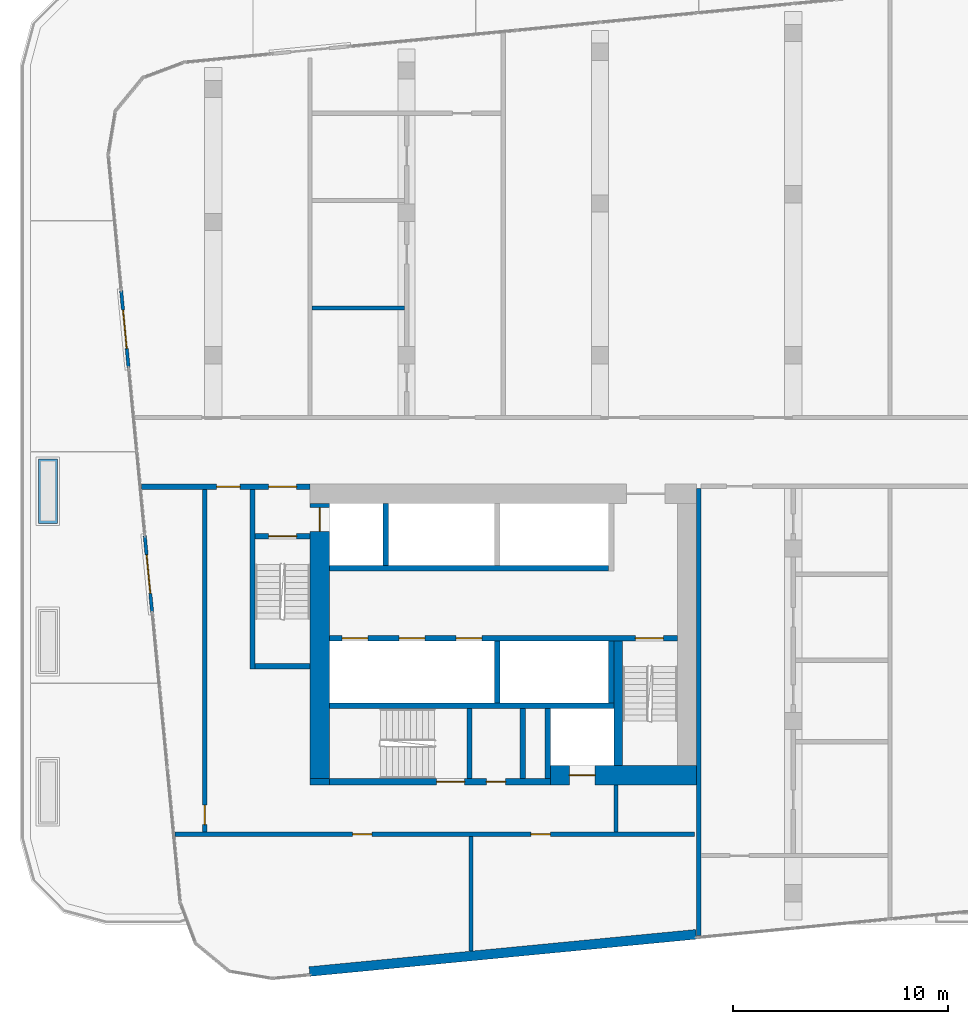
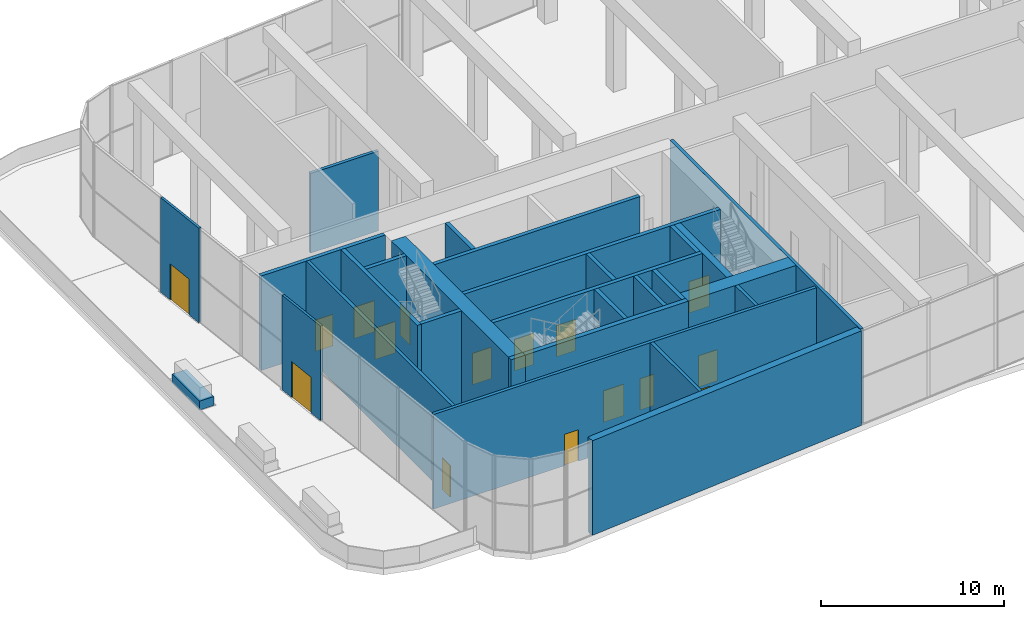
# One storey, part 12 of 25: 28 walls, 16 doors, 16 openings.
"""IFC4 building model written with IfcOpenShell, lengths in metres."""

from ifc_helpers import new_model, si_unit, direction, frame, frame_2d, origin, place, context, subcontext, project, spatial, rectangle, extrude, material, layer, layer_set, type_object, element, fill, save


model = new_model("IFC4")

# Units and contexts
model_context = context("Model", 3, precision=1e-05, world=origin(), true_north=direction((0.0, 1.0)))
body_context = subcontext(model_context, "Body", "Model", "MODEL_VIEW")
ifc_project = project(units=[si_unit("LENGTHUNIT", "METRE"), si_unit("AREAUNIT", "SQUARE_METRE"), si_unit("VOLUMEUNIT", "CUBIC_METRE"), si_unit("PLANEANGLEUNIT", "RADIAN"), si_unit("MASSUNIT", "GRAM", prefix="KILO")], contexts=[model_context])

# Site, building, storey
site_placement = place(None, origin())
site = spatial("IfcSite", under=ifc_project, at=site_placement, CompositionType="ELEMENT")
building_placement = place(site_placement, origin())
building = spatial("IfcBuilding", under=site, at=building_placement, Name="Kajstack Hotel Tower", CompositionType="ELEMENT")
storey_placement = place(building_placement, frame((0.0, 0.0, 104.199951171875)))
storey = spatial("IfcBuildingStorey", under=building, at=storey_placement, Name="L22", CompositionType="ELEMENT", Elevation=104.199951171875)

# Wall, opening, door
ifc_material_1 = material(Name="Concrete C60/75", Category="concrete")
ifc_layer_1 = layer(ifc_material_1, 0.89990234375)
ifc_layer_set_1 = layer_set([ifc_layer_1], Name="Core wall 900")
wall_type_1 = type_object("IfcWallType", Name="Core wall 900", PredefinedType="SHEAR", material=ifc_layer_set_1)
wall_1_placement = place(storey_placement, frame((-20.300048828125, -15.050048828125, 0.0), z_axis=(0.0, 0.0, 1.0), x_axis=(1.0, 0.0, 0.0)))
wall_1 = element("IfcWall", 1, at=wall_1_placement, inside=storey, type_object=wall_type_1, Name="Core wall W RS", PredefinedType="SHEAR", context=body_context, shape_type="SweptSolid", body=[
    extrude(rectangle(XDim=6.800048828125, YDim=0.89990234375, at=frame_2d((3.39990234375, 0.0))), origin(), (0.0, 0.0, 1.0), 6.320068359375),
])
opening_1_placement = place(wall_1_placement, frame((0.875, 0.0, 0.0)))
opening_1 = element("IfcOpeningElement", 2, at=opening_1_placement, cuts=wall_1, Name="Opening LD-SV1", PredefinedType="OPENING", context=body_context, shape_type="SweptSolid", body=[
    extrude(rectangle(XDim=1.199951171875, YDim=2.10009765625, at=frame_2d((0.60009765625, 1.050048828125))), frame((0.0, 0.4599609375, 0.0), z_axis=(0.0, -1.0, 0.0), x_axis=(1.0, 0.0, 0.0)), (0.0, 0.0, 1.0), 0.919921875),
])
ifc_material_2 = material(Name="Stainless steel", Category="steel")
door_type_1 = type_object("IfcDoorType", Name="Lift landing door 1200", OperationType="SLIDING_TO_LEFT", PredefinedType="DOOR", material=ifc_material_2)
door_1_placement = place(opening_1_placement, origin())
door_1 = element("IfcDoor", 3, at=door_1_placement, inside=storey, type_object=door_type_1, Name="Landing door SV1", OperationType="SLIDING_TO_LEFT", OverallHeight=2.10009765625, OverallWidth=1.199951171875, PredefinedType="DOOR", context=body_context, shape_type="SweptSolid", body=[
    extrude(rectangle(XDim=1.199951171875, YDim=2.10009765625, at=frame_2d((0.60009765625, 1.050048828125))), frame((0.0, 0.02490234375, 0.0), z_axis=(0.0, -1.0, 0.0), x_axis=(1.0, 0.0, 0.0)), (0.0, 0.0, 1.0), 0.050048828125),
])
fill(opening_1, door_1)

# Wall
wall_2_placement = place(storey_placement, frame((-31.5, -15.35009765625, 0.0), z_axis=(0.0, 0.0, 1.0), x_axis=(1.0, 0.0, 0.0)))
element("IfcWall", 4, at=wall_2_placement, inside=storey, type_object=wall_type_1, Name="Core wall W RSW", PredefinedType="SHEAR", context=body_context, shape_type="SweptSolid", body=[
    extrude(rectangle(XDim=0.89990234375, YDim=0.300048828125, at=frame_2d((0.449951171875, 0.0))), origin(), (0.0, 0.0, 1.0), 6.320068359375),
])

# Wall, opening, door
wall_3_placement = place(storey_placement, frame((-31.050048828125, -15.199951171875, 0.0), z_axis=(0.0, 0.0, 1.0), x_axis=(0.0, 1.0, 0.0)))
wall_3 = element("IfcWall", 5, at=wall_3_placement, inside=storey, type_object=wall_type_1, Name="Core wall W RW", PredefinedType="SHEAR", context=body_context, shape_type="SweptSolid", body=[
    extrude(rectangle(XDim=12.800048828125, YDim=0.89990234375, at=frame_2d((6.39990234375, 0.0))), origin(), (0.0, 0.0, 1.0), 6.320068359375),
])
opening_2_placement = place(wall_3_placement, frame((11.5, 0.0, 0.0)))
opening_2 = element("IfcOpeningElement", 6, at=opening_2_placement, cuts=wall_3, Name="Opening LD-FF1", PredefinedType="OPENING", context=body_context, shape_type="SweptSolid", body=[
    extrude(rectangle(XDim=1.10009765625, YDim=2.10009765625, at=frame_2d((0.550048828125, 1.050048828125))), frame((0.0, 0.4599609375, 0.0), z_axis=(0.0, -1.0, 0.0), x_axis=(1.0, 0.0, 0.0)), (0.0, 0.0, 1.0), 0.919921875),
])
door_type_2 = type_object("IfcDoorType", Name="Fire-fighting lift landing door 1100", OperationType="SLIDING_TO_LEFT", PredefinedType="DOOR", material=ifc_material_2)
door_2_placement = place(opening_2_placement, origin())
door_2 = element("IfcDoor", 7, at=door_2_placement, inside=storey, type_object=door_type_2, Name="Landing door FF1", OperationType="SLIDING_TO_RIGHT", OverallHeight=2.10009765625, OverallWidth=1.10009765625, PredefinedType="DOOR", context=body_context, shape_type="SweptSolid", body=[
    extrude(rectangle(XDim=1.10009765625, YDim=2.10009765625, at=frame_2d((0.550048828125, 1.050048828125))), frame((0.0, 0.02490234375, 0.0), z_axis=(0.0, -1.0, 0.0), x_axis=(1.0, 0.0, 0.0)), (0.0, 0.0, 1.0), 0.050048828125),
])
fill(opening_2, door_2)

# Wall
ifc_material_3 = material(Name="Concrete C40/50", Category="concrete")
ifc_layer_2 = layer(ifc_material_3, 0.449951171875)
ifc_layer_set_2 = layer_set([ifc_layer_2], Name="EW-CORE")
wall_type_2 = type_object("IfcWallType", Name="EW-CORE", PredefinedType="SOLIDWALL", material=ifc_layer_set_2)
wall_4_placement = place(storey_placement, frame((-31.521484375, -24.193603515625, 0.0), z_axis=(0.0, 0.0, 1.0), x_axis=(0.995396454615, 0.095843091245, 0.0)))
element("IfcWall", 8, at=wall_4_placement, inside=storey, type_object=wall_type_2, Name="E-wall-L22-04-01", PredefinedType="SOLIDWALL", context=body_context, shape_type="SweptSolid", body=[
    extrude(rectangle(XDim=18.083251953125, YDim=0.449951171875, at=frame_2d((9.04150390625, 0.0))), origin(), (0.0, 0.0, 1.0), 6.320068359375),
])

# Wall, opening, door
ifc_material_4 = material(Name="Aluminium", Category="aluminium")
ifc_layer_3 = layer(ifc_material_4, 0.14990234375)
ifc_layer_set_3 = layer_set([ifc_layer_3], Name="EW-FRAME")
wall_type_3 = type_object("IfcWallType", Name="EW-FRAME", PredefinedType="SOLIDWALL", material=ifc_layer_set_3)
wall_5_placement = place(storey_placement, frame((-40.2900390625, 7.498779296875, 0.0), z_axis=(0.0, 0.0, 1.0), x_axis=(0.095830004141, -0.995397714638, 0.0)))
wall_5 = element("IfcWall", 9, at=wall_5_placement, inside=storey, type_object=wall_type_3, Name="E-wall-L22-00-01", PredefinedType="SOLIDWALL", context=body_context, shape_type="SweptSolid", body=[
    extrude(rectangle(XDim=3.599853515625, YDim=0.14990234375, at=frame_2d((1.7998046875, 0.0))), origin(), (0.0, 0.0, 1.0), 6.320068359375),
])
opening_3_placement = place(wall_5_placement, frame((0.89990234375, 0.0, 0.0)))
opening_3 = element("IfcOpeningElement", 10, at=opening_3_placement, cuts=wall_5, Name="Opening TD1", PredefinedType="OPENING", context=body_context, shape_type="SweptSolid", body=[
    extrude(rectangle(XDim=1.800048828125, YDim=2.39990234375, at=frame_2d((0.89990234375, 1.199951171875))), frame((0.0, 0.0849609375, 0.0), z_axis=(0.0, -1.0, 0.0), x_axis=(1.0, 0.0, 0.0)), (0.0, 0.0, 1.0), 0.169921875),
])
ifc_material_5 = material(Name="Timber-aluminium door", Category="wood")
door_type_3 = type_object("IfcDoorType", Name="DOOR-TERRACE", OperationType="DOUBLE_DOOR_SINGLE_SWING", PredefinedType="DOOR", material=ifc_material_5)
door_3_placement = place(opening_3_placement, origin())
door_3 = element("IfcDoor", 11, at=door_3_placement, inside=storey, type_object=door_type_3, Name="Terrace door L22-00", OperationType="SINGLE_SWING_LEFT", OverallHeight=2.39990234375, OverallWidth=1.800048828125, PredefinedType="DOOR", context=body_context, shape_type="SweptSolid", body=[
    extrude(rectangle(XDim=1.800048828125, YDim=2.39990234375, at=frame_2d((0.89990234375, 1.199951171875))), frame((0.0, 0.02490234375, 0.0), z_axis=(0.0, -1.0, 0.0), x_axis=(1.0, 0.0, 0.0)), (0.0, 0.0, 1.0), 0.050048828125),
])
fill(opening_3, door_3)

wall_6_placement = place(storey_placement, frame((-39.1923828125, -3.901123046875, 0.0), z_axis=(0.0, 0.0, 1.0), x_axis=(0.095823535273, -0.995398337395, 0.0)))
wall_6 = element("IfcWall", 12, at=wall_6_placement, inside=storey, type_object=wall_type_3, Name="E-wall-L22-00-03", PredefinedType="SOLIDWALL", context=body_context, shape_type="SweptSolid", body=[
    extrude(rectangle(XDim=3.60009765625, YDim=0.14990234375, at=frame_2d((1.800048828125, 0.0))), origin(), (0.0, 0.0, 1.0), 6.320068359375),
])
opening_4_placement = place(wall_6_placement, frame((0.89990234375, 0.0, 0.0)))
opening_4 = element("IfcOpeningElement", 13, at=opening_4_placement, cuts=wall_6, Name="Opening TD1", PredefinedType="OPENING", context=body_context, shape_type="SweptSolid", body=[
    extrude(rectangle(XDim=1.800048828125, YDim=2.39990234375, at=frame_2d((0.89990234375, 1.199951171875))), frame((0.0, 0.0849609375, 0.0), z_axis=(0.0, -1.0, 0.0), x_axis=(1.0, 0.0, 0.0)), (0.0, 0.0, 1.0), 0.169921875),
])
door_4_placement = place(opening_4_placement, origin())
door_4 = element("IfcDoor", 14, at=door_4_placement, inside=storey, type_object=door_type_3, Name="Terrace door L22-00", OperationType="SINGLE_SWING_LEFT", OverallHeight=2.39990234375, OverallWidth=1.800048828125, PredefinedType="DOOR", context=body_context, shape_type="SweptSolid", body=[
    extrude(rectangle(XDim=1.800048828125, YDim=2.39990234375, at=frame_2d((0.89990234375, 1.199951171875))), frame((0.0, 0.02490234375, 0.0), z_axis=(0.0, -1.0, 0.0), x_axis=(1.0, 0.0, 0.0)), (0.0, 0.0, 1.0), 0.050048828125),
])
fill(opening_4, door_4)

# Walls
ifc_material_6 = material(Name="Concrete C50/60", Category="concrete")
ifc_layer_4 = layer(ifc_material_6, 0.300048828125)
ifc_layer_set_4 = layer_set([ifc_layer_4], Name="Hoistway divider wall 300")
wall_type_4 = type_object("IfcWallType", Name="Hoistway divider wall 300", PredefinedType="SHEAR", material=ifc_layer_set_4)
wall_7_placement = place(storey_placement, frame((-22.77490234375, -11.699951171875, 0.0), z_axis=(0.0, 0.0, 1.0), x_axis=(0.0, 1.0, 0.0)))
element("IfcWall", 15, at=wall_7_placement, inside=storey, type_object=wall_type_4, Name="Core wall W BP2", PredefinedType="SHEAR", context=body_context, shape_type="SweptSolid", body=[
    extrude(rectangle(XDim=2.89990234375, YDim=0.25, at=frame_2d((1.449951171875, 0.0))), origin(), (0.0, 0.0, 1.0), 6.320068359375),
])
ifc_material_7 = material(Name="Concrete C30/37", Category="concrete")
ifc_layer_5 = layer(ifc_material_7, 0.89990234375)
ifc_layer_set_5 = layer_set([ifc_layer_5], Name="PLANTER-WALL")
wall_type_5 = type_object("IfcWallType", Name="PLANTER-WALL", PredefinedType="SOLIDWALL", material=ifc_layer_set_5)
wall_8_placement = place(storey_placement, frame((-43.699951171875, -3.328857421875, 0.0), z_axis=(0.0, 0.0, 1.0), x_axis=(0.0, 1.0, 0.0)))
element("IfcWall", 16, at=wall_8_placement, inside=storey, type_object=wall_type_5, Name="PLANTER L22-01-03", PredefinedType="SOLIDWALL", context=body_context, shape_type="SweptSolid", body=[
    extrude(rectangle(XDim=3.0, YDim=0.89990234375, at=frame_2d((1.5, 0.0))), origin(), (0.0, 0.0, 1.0), 0.60009765625),
])
ifc_material_8 = material(Name="Gypsum board on steel studs, mineral wool", Category="steel")
ifc_layer_6 = layer(ifc_material_8, 0.199951171875)
ifc_layer_set_6 = layer_set([ifc_layer_6], Name="Public partition 200")
wall_type_6 = type_object("IfcWallType", Name="Public partition 200", PredefinedType="PARTITIONING", material=ifc_layer_set_6)
wall_9_placement = place(storey_placement, frame((-31.39990234375, 6.699951171875, 0.0), z_axis=(0.0, 0.0, 1.0), x_axis=(1.0, 0.0, 0.0)))
element("IfcWall", 17, at=wall_9_placement, inside=storey, type_object=wall_type_6, Name="Partition C2wP0", PredefinedType="PARTITIONING", context=body_context, shape_type="SweptSolid", body=[
    extrude(rectangle(XDim=4.2998046875, YDim=0.199951171875, at=frame_2d((2.14990234375, 0.0))), origin(), (0.0, 0.0, 1.0), 5.320068359375),
])
wall_10_placement = place(storey_placement, frame((-13.39990234375, -22.524169921875, 0.0), z_axis=(0.0, 0.0, 1.0), x_axis=(0.0, 1.0, 0.0)))
element("IfcWall", 18, at=wall_10_placement, inside=storey, type_object=wall_type_6, Name="Partition SEW", PredefinedType="PARTITIONING", context=body_context, shape_type="SweptSolid", body=[
    extrude(rectangle(XDim=20.82421875, YDim=0.199951171875, at=frame_2d((10.412109375, 0.0))), origin(), (0.0, 0.0, 1.0), 6.320068359375),
])
ifc_material_9 = material(Name="Concrete block masonry", Category="masonry")
ifc_layer_7 = layer(ifc_material_9, 0.25)
ifc_layer_set_7 = layer_set([ifc_layer_7], Name="Riser partition 250")
wall_type_7 = type_object("IfcWallType", Name="Riser partition 250", PredefinedType="PARTITIONING", material=ifc_layer_set_7)
wall_11_placement = place(storey_placement, frame((-21.60009765625, -15.199951171875, 0.0), z_axis=(0.0, 0.0, 1.0), x_axis=(0.0, 1.0, 0.0)))
element("IfcWall", 19, at=wall_11_placement, inside=storey, type_object=wall_type_7, Name="Partition W SZ0", PredefinedType="PARTITIONING", context=body_context, shape_type="SweptSolid", body=[
    extrude(rectangle(XDim=3.25, YDim=0.25, at=frame_2d((1.625, 0.0))), origin(), (0.0, 0.0, 1.0), 6.320068359375),
])

# Wall, openings, doors
ifc_layer_8 = layer(ifc_material_8, 0.199951171875)
ifc_layer_set_8 = layer_set([ifc_layer_8], Name="Service partition 200")
wall_type_8 = type_object("IfcWallType", Name="Service partition 200", PredefinedType="PARTITIONING", material=ifc_layer_set_8)
wall_12_placement = place(storey_placement, frame((-39.336181640625, -1.625, 0.0), z_axis=(0.0, 0.0, 1.0), x_axis=(1.0, 0.0, 0.0)))
wall_12 = element("IfcWall", 20, at=wall_12_placement, inside=storey, type_object=wall_type_8, Name="Partition W SN", PredefinedType="PARTITIONING", context=body_context, shape_type="SweptSolid", body=[
    extrude(rectangle(XDim=7.836181640625, YDim=0.25, at=frame_2d((3.91796875, 0.0))), origin(), (0.0, 0.0, 1.0), 6.320068359375),
])
opening_5_placement = place(wall_12_placement, frame((5.9111328125, 0.0, 0.0)))
opening_5 = element("IfcOpeningElement", 21, at=opening_5_placement, cuts=wall_12, Name="Opening 22W07", PredefinedType="OPENING", context=body_context, shape_type="SweptSolid", body=[
    extrude(rectangle(XDim=1.300048828125, YDim=2.10009765625, at=frame_2d((0.64990234375, 1.050048828125))), frame((0.0, 0.135009765625, 0.0), z_axis=(0.0, -1.0, 0.0), x_axis=(1.0, 0.0, 0.0)), (0.0, 0.0, 1.0), 0.27001953125),
])
opening_6_placement = place(wall_12_placement, frame((3.486083984375, 0.0, 0.0)))
opening_6 = element("IfcOpeningElement", 22, at=opening_6_placement, cuts=wall_12, Name="Opening 22W09", PredefinedType="OPENING", context=body_context, shape_type="SweptSolid", body=[
    extrude(rectangle(XDim=1.10009765625, YDim=2.10009765625, at=frame_2d((0.550048828125, 1.050048828125))), frame((0.0, 0.135009765625, 0.0), z_axis=(0.0, -1.0, 0.0), x_axis=(1.0, 0.0, 0.0)), (0.0, 0.0, 1.0), 0.27001953125),
])
ifc_material_10 = material(Name="Steel leaf, fire-rated", Category="steel")
door_type_4 = type_object("IfcDoorType", Name="Fire lobby door 1300", OperationType="SINGLE_SWING_LEFT", PredefinedType="DOOR", material=ifc_material_10)
door_5_placement = place(opening_5_placement, origin())
door_5 = element("IfcDoor", 23, at=door_5_placement, inside=storey, type_object=door_type_4, Name="Door 22W07", OperationType="SINGLE_SWING_RIGHT", OverallHeight=2.10009765625, OverallWidth=1.300048828125, PredefinedType="DOOR", context=body_context, shape_type="SweptSolid", body=[
    extrude(rectangle(XDim=1.300048828125, YDim=2.10009765625, at=frame_2d((0.64990234375, 1.050048828125))), frame((0.0, 0.02490234375, 0.0), z_axis=(0.0, -1.0, 0.0), x_axis=(1.0, 0.0, 0.0)), (0.0, 0.0, 1.0), 0.050048828125),
])
fill(opening_5, door_5)
ifc_material_11 = material(Name="Timber leaf, fire-rated", Category="wood")
door_type_5 = type_object("IfcDoorType", Name="Service corridor door 1100", OperationType="SINGLE_SWING_LEFT", PredefinedType="DOOR", material=ifc_material_11)
door_6_placement = place(opening_6_placement, origin())
door_6 = element("IfcDoor", 24, at=door_6_placement, inside=storey, type_object=door_type_5, Name="Door 22W09", OperationType="SINGLE_SWING_RIGHT", OverallHeight=2.10009765625, OverallWidth=1.10009765625, PredefinedType="DOOR", context=body_context, shape_type="SweptSolid", body=[
    extrude(rectangle(XDim=1.10009765625, YDim=2.10009765625, at=frame_2d((0.550048828125, 1.050048828125))), frame((0.0, 0.02490234375, 0.0), z_axis=(0.0, -1.0, 0.0), x_axis=(1.0, 0.0, 0.0)), (0.0, 0.0, 1.0), 0.050048828125),
])
fill(opening_6, door_6)

# Wall
wall_13_placement = place(storey_placement, frame((-17.25, -17.699951171875, 0.0), z_axis=(0.0, 0.0, 1.0), x_axis=(0.0, 1.0, 0.0)))
element("IfcWall", 25, at=wall_13_placement, inside=storey, type_object=wall_type_8, Name="Partition W SCE", PredefinedType="PARTITIONING", context=body_context, shape_type="SweptSolid", body=[
    extrude(rectangle(XDim=2.199951171875, YDim=0.199951171875, at=frame_2d((1.10009765625, 0.0))), origin(), (0.0, 0.0, 1.0), 6.320068359375),
])

# Wall, opening, door
wall_14_placement = place(storey_placement, frame((-36.39990234375, -17.699951171875, 0.0), z_axis=(0.0, 0.0, 1.0), x_axis=(0.0, 1.0, 0.0)))
wall_14 = element("IfcWall", 26, at=wall_14_placement, inside=storey, type_object=wall_type_8, Name="Partition W WRE", PredefinedType="PARTITIONING", context=body_context, shape_type="SweptSolid", body=[
    extrude(rectangle(XDim=15.949951171875, YDim=0.199951171875, at=frame_2d((7.97509765625, 0.0))), origin(), (0.0, 0.0, 1.0), 6.320068359375),
])
opening_7_placement = place(wall_14_placement, frame((0.35009765625, 0.0, 0.0)))
opening_7 = element("IfcOpeningElement", 27, at=opening_7_placement, cuts=wall_14, Name="Opening 22W15", PredefinedType="OPENING", context=body_context, shape_type="SweptSolid", body=[
    extrude(rectangle(XDim=0.89990234375, YDim=2.10009765625, at=frame_2d((0.449951171875, 1.050048828125))), frame((0.0, 0.10986328125, 0.0), z_axis=(0.0, -1.0, 0.0), x_axis=(1.0, 0.0, 0.0)), (0.0, 0.0, 1.0), 0.219970703125),
])
door_type_6 = type_object("IfcDoorType", Name="Service door 900", OperationType="SINGLE_SWING_LEFT", PredefinedType="DOOR", material=ifc_material_11)
door_7_placement = place(opening_7_placement, origin())
door_7 = element("IfcDoor", 28, at=door_7_placement, inside=storey, type_object=door_type_6, Name="Door 22W15", OperationType="SINGLE_SWING_LEFT", OverallHeight=2.10009765625, OverallWidth=0.89990234375, PredefinedType="DOOR", context=body_context, shape_type="SweptSolid", body=[
    extrude(rectangle(XDim=0.89990234375, YDim=2.10009765625, at=frame_2d((0.449951171875, 1.050048828125))), frame((0.0, 0.02490234375, 0.0), z_axis=(0.0, -1.0, 0.0), x_axis=(1.0, 0.0, 0.0)), (0.0, 0.0, 1.0), 0.050048828125),
])
fill(opening_7, door_7)

# Wall, openings, doors
wall_15_placement = place(storey_placement, frame((-37.77880859375, -17.800048828125, 0.0), z_axis=(0.0, 0.0, 1.0), x_axis=(1.0, 0.0, 0.0)))
wall_15 = element("IfcWall", 29, at=wall_15_placement, inside=storey, type_object=wall_type_8, Name="Partition W SLN", PredefinedType="PARTITIONING", context=body_context, shape_type="SweptSolid", body=[
    extrude(rectangle(XDim=24.1787109375, YDim=0.199951171875, at=frame_2d((12.08935546875, 0.0))), origin(), (0.0, 0.0, 1.0), 6.320068359375),
])
opening_8_placement = place(wall_15_placement, frame((8.26611328125, 0.0, 0.0)))
opening_8 = element("IfcOpeningElement", 30, at=opening_8_placement, cuts=wall_15, Name="Opening 22W13", PredefinedType="OPENING", context=body_context, shape_type="SweptSolid", body=[
    extrude(rectangle(XDim=0.89990234375, YDim=2.10009765625, at=frame_2d((0.449951171875, 1.050048828125))), frame((0.0, 0.10986328125, 0.0), z_axis=(0.0, -1.0, 0.0), x_axis=(1.0, 0.0, 0.0)), (0.0, 0.0, 1.0), 0.219970703125),
])
opening_9_placement = place(wall_15_placement, frame((16.566162109375, 0.0, 0.0)))
opening_9 = element("IfcOpeningElement", 31, at=opening_9_placement, cuts=wall_15, Name="Opening 22W14", PredefinedType="OPENING", context=body_context, shape_type="SweptSolid", body=[
    extrude(rectangle(XDim=0.89990234375, YDim=2.10009765625, at=frame_2d((0.449951171875, 1.050048828125))), frame((0.0, 0.10986328125, 0.0), z_axis=(0.0, -1.0, 0.0), x_axis=(1.0, 0.0, 0.0)), (0.0, 0.0, 1.0), 0.219970703125),
])
door_8_placement = place(opening_8_placement, origin())
door_8 = element("IfcDoor", 32, at=door_8_placement, inside=storey, type_object=door_type_6, Name="Door 22W13", OperationType="SINGLE_SWING_RIGHT", OverallHeight=2.10009765625, OverallWidth=0.89990234375, PredefinedType="DOOR", context=body_context, shape_type="SweptSolid", body=[
    extrude(rectangle(XDim=0.89990234375, YDim=2.10009765625, at=frame_2d((0.449951171875, 1.050048828125))), frame((0.0, 0.02490234375, 0.0), z_axis=(0.0, -1.0, 0.0), x_axis=(1.0, 0.0, 0.0)), (0.0, 0.0, 1.0), 0.050048828125),
])
fill(opening_8, door_8)
door_9_placement = place(opening_9_placement, origin())
door_9 = element("IfcDoor", 33, at=door_9_placement, inside=storey, type_object=door_type_6, Name="Door 22W14", OperationType="SINGLE_SWING_RIGHT", OverallHeight=2.10009765625, OverallWidth=0.89990234375, PredefinedType="DOOR", context=body_context, shape_type="SweptSolid", body=[
    extrude(rectangle(XDim=0.89990234375, YDim=2.10009765625, at=frame_2d((0.449951171875, 1.050048828125))), frame((0.0, 0.02490234375, 0.0), z_axis=(0.0, -1.0, 0.0), x_axis=(1.0, 0.0, 0.0)), (0.0, 0.0, 1.0), 0.050048828125),
])
fill(opening_9, door_9)

# Wall
wall_16_placement = place(storey_placement, frame((-24.0, -23.244384765625, 0.0), z_axis=(0.0, 0.0, 1.0), x_axis=(0.0, 1.0, 0.0)))
element("IfcWall", 34, at=wall_16_placement, inside=storey, type_object=wall_type_8, Name="Partition W SLP0", PredefinedType="PARTITIONING", context=body_context, shape_type="SweptSolid", body=[
    extrude(rectangle(XDim=5.344482421875, YDim=0.199951171875, at=frame_2d((2.67236328125, 0.0))), origin(), (0.0, 0.0, 1.0), 6.320068359375),
])

# Wall, openings, doors
ifc_layer_9 = layer(ifc_material_6, 0.25)
ifc_layer_set_9 = layer_set([ifc_layer_9], Name="Shaft wall 250")
wall_type_9 = type_object("IfcWallType", Name="Shaft wall 250", PredefinedType="SHEAR", material=ifc_layer_set_9)
wall_17_placement = place(storey_placement, frame((-30.60009765625, -15.35009765625, 0.0), z_axis=(0.0, 0.0, 1.0), x_axis=(1.0, 0.0, 0.0)))
wall_17 = element("IfcWall", 35, at=wall_17_placement, inside=storey, type_object=wall_type_9, Name="Core wall W RSS", PredefinedType="SHEAR", context=body_context, shape_type="SweptSolid", body=[
    extrude(rectangle(XDim=10.300048828125, YDim=0.300048828125, at=frame_2d((5.14990234375, 0.0))), origin(), (0.0, 0.0, 1.0), 6.320068359375),
])
opening_10_placement = place(wall_17_placement, frame((5.0, 0.0, 0.0)))
opening_10 = element("IfcOpeningElement", 36, at=opening_10_placement, cuts=wall_17, Name="Opening 22W11", PredefinedType="OPENING", context=body_context, shape_type="SweptSolid", body=[
    extrude(rectangle(XDim=1.300048828125, YDim=2.10009765625, at=frame_2d((0.64990234375, 1.050048828125))), frame((0.0, 0.159912109375, 0.0), z_axis=(0.0, -1.0, 0.0), x_axis=(1.0, 0.0, 0.0)), (0.0, 0.0, 1.0), 0.320068359375),
])
opening_11_placement = place(wall_17_placement, frame((7.3125, 0.0, 0.0)))
opening_11 = element("IfcOpeningElement", 37, at=opening_11_placement, cuts=wall_17, Name="Opening 22W12", PredefinedType="OPENING", context=body_context, shape_type="SweptSolid", body=[
    extrude(rectangle(XDim=0.89990234375, YDim=2.10009765625, at=frame_2d((0.449951171875, 1.050048828125))), frame((0.0, 0.159912109375, 0.0), z_axis=(0.0, -1.0, 0.0), x_axis=(1.0, 0.0, 0.0)), (0.0, 0.0, 1.0), 0.320068359375),
])
door_10_placement = place(opening_11_placement, origin())
door_10 = element("IfcDoor", 38, at=door_10_placement, inside=storey, type_object=door_type_6, Name="Door 22W12", OperationType="SINGLE_SWING_LEFT", OverallHeight=2.10009765625, OverallWidth=0.89990234375, PredefinedType="DOOR", context=body_context, shape_type="SweptSolid", body=[
    extrude(rectangle(XDim=0.89990234375, YDim=2.10009765625, at=frame_2d((0.449951171875, 1.050048828125))), frame((0.0, 0.02490234375, 0.0), z_axis=(0.0, -1.0, 0.0), x_axis=(1.0, 0.0, 0.0)), (0.0, 0.0, 1.0), 0.050048828125),
])
fill(opening_11, door_10)
door_type_7 = type_object("IfcDoorType", Name="Stair door 1300", OperationType="SINGLE_SWING_LEFT", PredefinedType="DOOR", material=ifc_material_10)
door_11_placement = place(opening_10_placement, origin())
door_11 = element("IfcDoor", 39, at=door_11_placement, inside=storey, type_object=door_type_7, Name="Door 22W11", OperationType="SINGLE_SWING_RIGHT", OverallHeight=2.10009765625, OverallWidth=1.300048828125, PredefinedType="DOOR", context=body_context, shape_type="SweptSolid", body=[
    extrude(rectangle(XDim=1.300048828125, YDim=2.10009765625, at=frame_2d((0.64990234375, 1.050048828125))), frame((0.0, 0.02490234375, 0.0), z_axis=(0.0, -1.0, 0.0), x_axis=(1.0, 0.0, 0.0)), (0.0, 0.0, 1.0), 0.050048828125),
])
fill(opening_10, door_11)

# Walls
wall_18_placement = place(storey_placement, frame((-30.60009765625, -5.425048828125, 0.0), z_axis=(0.0, 0.0, 1.0), x_axis=(1.0, 0.0, 0.0)))
element("IfcWall", 40, at=wall_18_placement, inside=storey, type_object=wall_type_9, Name="Core wall W FA", PredefinedType="SHEAR", context=body_context, shape_type="SweptSolid", body=[
    extrude(rectangle(XDim=13.0, YDim=0.25, at=frame_2d((6.5, 0.0))), origin(), (0.0, 0.0, 1.0), 6.320068359375),
])
wall_19_placement = place(storey_placement, frame((-27.97509765625, -5.300048828125, 0.0), z_axis=(0.0, 0.0, 1.0), x_axis=(0.0, 1.0, 0.0)))
element("IfcWall", 41, at=wall_19_placement, inside=storey, type_object=wall_type_9, Name="Core wall W AP0", PredefinedType="SHEAR", context=body_context, shape_type="SweptSolid", body=[
    extrude(rectangle(XDim=2.900146484375, YDim=0.25, at=frame_2d((1.4501953125, 0.0))), origin(), (0.0, 0.0, 1.0), 6.320068359375),
])

# Wall, openings, doors
wall_20_placement = place(storey_placement, frame((-30.60009765625, -8.675048828125, 0.0), z_axis=(0.0, 0.0, 1.0), x_axis=(1.0, 0.0, 0.0)))
wall_20 = element("IfcWall", 42, at=wall_20_placement, inside=storey, type_object=wall_type_9, Name="Core wall W FB", PredefinedType="SHEAR", context=body_context, shape_type="SweptSolid", body=[
    extrude(rectangle(XDim=16.2001953125, YDim=0.25, at=frame_2d((8.10009765625, 0.0))), origin(), (0.0, 0.0, 1.0), 6.320068359375),
])
opening_12_placement = place(wall_20_placement, frame((0.60009765625, 0.0, 0.0)))
opening_12 = element("IfcOpeningElement", 43, at=opening_12_placement, cuts=wall_20, Name="Opening LD-LR1", PredefinedType="OPENING", context=body_context, shape_type="SweptSolid", body=[
    extrude(rectangle(XDim=1.199951171875, YDim=2.10009765625, at=frame_2d((0.60009765625, 1.050048828125))), frame((0.0, 0.135009765625, 0.0), z_axis=(0.0, -1.0, 0.0), x_axis=(1.0, 0.0, 0.0)), (0.0, 0.0, 1.0), 0.27001953125),
])
opening_13_placement = place(wall_20_placement, frame((3.25, 0.0, 0.0)))
opening_13 = element("IfcOpeningElement", 44, at=opening_13_placement, cuts=wall_20, Name="Opening LD-LR2", PredefinedType="OPENING", context=body_context, shape_type="SweptSolid", body=[
    extrude(rectangle(XDim=1.199951171875, YDim=2.10009765625, at=frame_2d((0.60009765625, 1.050048828125))), frame((0.0, 0.135009765625, 0.0), z_axis=(0.0, -1.0, 0.0), x_axis=(1.0, 0.0, 0.0)), (0.0, 0.0, 1.0), 0.27001953125),
])
opening_14_placement = place(wall_20_placement, frame((5.89990234375, 0.0, 0.0)))
opening_14 = element("IfcOpeningElement", 45, at=opening_14_placement, cuts=wall_20, Name="Opening LD-LR3", PredefinedType="OPENING", context=body_context, shape_type="SweptSolid", body=[
    extrude(rectangle(XDim=1.199951171875, YDim=2.10009765625, at=frame_2d((0.60009765625, 1.050048828125))), frame((0.0, 0.135009765625, 0.0), z_axis=(0.0, -1.0, 0.0), x_axis=(1.0, 0.0, 0.0)), (0.0, 0.0, 1.0), 0.27001953125),
])
opening_15_placement = place(wall_20_placement, frame((14.25, 0.0, 0.0)))
opening_15 = element("IfcOpeningElement", 46, at=opening_15_placement, cuts=wall_20, Name="Opening 22W10", PredefinedType="OPENING", context=body_context, shape_type="SweptSolid", body=[
    extrude(rectangle(XDim=1.300048828125, YDim=2.10009765625, at=frame_2d((0.64990234375, 1.050048828125))), frame((0.0, 0.135009765625, 0.0), z_axis=(0.0, -1.0, 0.0), x_axis=(1.0, 0.0, 0.0)), (0.0, 0.0, 1.0), 0.27001953125),
])
door_12_placement = place(opening_12_placement, origin())
door_12 = element("IfcDoor", 47, at=door_12_placement, inside=storey, type_object=door_type_1, Name="Landing door LR1", OperationType="SLIDING_TO_LEFT", OverallHeight=2.10009765625, OverallWidth=1.199951171875, PredefinedType="DOOR", context=body_context, shape_type="SweptSolid", body=[
    extrude(rectangle(XDim=1.199951171875, YDim=2.10009765625, at=frame_2d((0.60009765625, 1.050048828125))), frame((0.0, 0.02490234375, 0.0), z_axis=(0.0, -1.0, 0.0), x_axis=(1.0, 0.0, 0.0)), (0.0, 0.0, 1.0), 0.050048828125),
])
fill(opening_12, door_12)
door_13_placement = place(opening_13_placement, origin())
door_13 = element("IfcDoor", 48, at=door_13_placement, inside=storey, type_object=door_type_1, Name="Landing door LR2", OperationType="SLIDING_TO_RIGHT", OverallHeight=2.10009765625, OverallWidth=1.199951171875, PredefinedType="DOOR", context=body_context, shape_type="SweptSolid", body=[
    extrude(rectangle(XDim=1.199951171875, YDim=2.10009765625, at=frame_2d((0.60009765625, 1.050048828125))), frame((0.0, 0.02490234375, 0.0), z_axis=(0.0, -1.0, 0.0), x_axis=(1.0, 0.0, 0.0)), (0.0, 0.0, 1.0), 0.050048828125),
])
fill(opening_13, door_13)
door_14_placement = place(opening_14_placement, origin())
door_14 = element("IfcDoor", 49, at=door_14_placement, inside=storey, type_object=door_type_1, Name="Landing door LR3", OperationType="SLIDING_TO_RIGHT", OverallHeight=2.10009765625, OverallWidth=1.199951171875, PredefinedType="DOOR", context=body_context, shape_type="SweptSolid", body=[
    extrude(rectangle(XDim=1.199951171875, YDim=2.10009765625, at=frame_2d((0.60009765625, 1.050048828125))), frame((0.0, 0.02490234375, 0.0), z_axis=(0.0, -1.0, 0.0), x_axis=(1.0, 0.0, 0.0)), (0.0, 0.0, 1.0), 0.050048828125),
])
fill(opening_14, door_14)
door_15_placement = place(opening_15_placement, origin())
door_15 = element("IfcDoor", 50, at=door_15_placement, inside=storey, type_object=door_type_7, Name="Door 22W10", OperationType="SINGLE_SWING_RIGHT", OverallHeight=2.10009765625, OverallWidth=1.300048828125, PredefinedType="DOOR", context=body_context, shape_type="SweptSolid", body=[
    extrude(rectangle(XDim=1.300048828125, YDim=2.10009765625, at=frame_2d((0.64990234375, 1.050048828125))), frame((0.0, 0.02490234375, 0.0), z_axis=(0.0, -1.0, 0.0), x_axis=(1.0, 0.0, 0.0)), (0.0, 0.0, 1.0), 0.050048828125),
])
fill(opening_15, door_15)

# Walls
wall_21_placement = place(storey_placement, frame((-30.60009765625, -11.824951171875, 0.0), z_axis=(0.0, 0.0, 1.0), x_axis=(1.0, 0.0, 0.0)))
element("IfcWall", 51, at=wall_21_placement, inside=storey, type_object=wall_type_9, Name="Core wall W RB", PredefinedType="SHEAR", context=body_context, shape_type="SweptSolid", body=[
    extrude(rectangle(XDim=13.25, YDim=0.25, at=frame_2d((6.625, 0.0))), origin(), (0.0, 0.0, 1.0), 6.320068359375),
])
wall_22_placement = place(storey_placement, frame((-17.47509765625, -11.699951171875, 0.0), z_axis=(0.0, 0.0, 1.0), x_axis=(0.0, 1.0, 0.0)))
element("IfcWall", 52, at=wall_22_placement, inside=storey, type_object=wall_type_9, Name="Core wall W BE", PredefinedType="SHEAR", context=body_context, shape_type="SweptSolid", body=[
    extrude(rectangle(XDim=2.89990234375, YDim=0.25, at=frame_2d((1.449951171875, 0.0))), origin(), (0.0, 0.0, 1.0), 6.320068359375),
])
wall_23_placement = place(storey_placement, frame((-20.425048828125, -15.199951171875, 0.0), z_axis=(0.0, 0.0, 1.0), x_axis=(0.0, 1.0, 0.0)))
element("IfcWall", 53, at=wall_23_placement, inside=storey, type_object=wall_type_9, Name="Core wall W SVW", PredefinedType="SHEAR", context=body_context, shape_type="SweptSolid", body=[
    extrude(rectangle(XDim=3.25, YDim=0.25, at=frame_2d((1.625, 0.0))), origin(), (0.0, 0.0, 1.0), 6.320068359375),
])

# Wall, opening, door
ifc_layer_10 = layer(ifc_material_3, 0.25)
ifc_layer_set_10 = layer_set([ifc_layer_10], Name="Stair enclosure wall 250")
wall_type_10 = type_object("IfcWallType", Name="Stair enclosure wall 250", PredefinedType="SHEAR", material=ifc_layer_set_10)
wall_24_placement = place(storey_placement, frame((-34.050048828125, -3.925048828125, 0.0), z_axis=(0.0, 0.0, 1.0), x_axis=(1.0, 0.0, 0.0)))
wall_24 = element("IfcWall", 54, at=wall_24_placement, inside=storey, type_object=wall_type_10, Name="Core wall W W1N", PredefinedType="SHEAR", context=body_context, shape_type="SweptSolid", body=[
    extrude(rectangle(XDim=2.550048828125, YDim=0.25, at=frame_2d((1.27490234375, 0.0))), origin(), (0.0, 0.0, 1.0), 6.320068359375),
])
opening_16_placement = place(wall_24_placement, frame((0.625, 0.0, 0.0)))
opening_16 = element("IfcOpeningElement", 55, at=opening_16_placement, cuts=wall_24, Name="Opening 22W08", PredefinedType="OPENING", context=body_context, shape_type="SweptSolid", body=[
    extrude(rectangle(XDim=1.300048828125, YDim=2.10009765625, at=frame_2d((0.64990234375, 1.050048828125))), frame((0.0, 0.135009765625, 0.0), z_axis=(0.0, -1.0, 0.0), x_axis=(1.0, 0.0, 0.0)), (0.0, 0.0, 1.0), 0.27001953125),
])
door_16_placement = place(opening_16_placement, origin())
door_16 = element("IfcDoor", 56, at=door_16_placement, inside=storey, type_object=door_type_7, Name="Door 22W08", OperationType="SINGLE_SWING_RIGHT", OverallHeight=2.10009765625, OverallWidth=1.300048828125, PredefinedType="DOOR", context=body_context, shape_type="SweptSolid", body=[
    extrude(rectangle(XDim=1.300048828125, YDim=2.10009765625, at=frame_2d((0.64990234375, 1.050048828125))), frame((0.0, 0.02490234375, 0.0), z_axis=(0.0, -1.0, 0.0), x_axis=(1.0, 0.0, 0.0)), (0.0, 0.0, 1.0), 0.050048828125),
])
fill(opening_16, door_16)

# Walls
wall_25_placement = place(storey_placement, frame((-34.175048828125, -10.10009765625, 0.0), z_axis=(0.0, 0.0, 1.0), x_axis=(0.0, 1.0, 0.0)))
element("IfcWall", 57, at=wall_25_placement, inside=storey, type_object=wall_type_10, Name="Core wall W W1W", PredefinedType="SHEAR", context=body_context, shape_type="SweptSolid", body=[
    extrude(rectangle(XDim=8.35009765625, YDim=0.25, at=frame_2d((4.175048828125, 0.0))), origin(), (0.0, 0.0, 1.0), 6.320068359375),
])
wall_26_placement = place(storey_placement, frame((-34.050048828125, -9.97509765625, 0.0), z_axis=(0.0, 0.0, 1.0), x_axis=(1.0, 0.0, 0.0)))
element("IfcWall", 58, at=wall_26_placement, inside=storey, type_object=wall_type_10, Name="Core wall W W1S", PredefinedType="SHEAR", context=body_context, shape_type="SweptSolid", body=[
    extrude(rectangle(XDim=2.550048828125, YDim=0.25, at=frame_2d((1.27490234375, 0.0))), origin(), (0.0, 0.0, 1.0), 6.320068359375),
])
ifc_layer_11 = layer(ifc_material_6, 0.35009765625)
ifc_layer_set_11 = layer_set([ifc_layer_11], Name="Stair enclosure wall 350")
wall_type_11 = type_object("IfcWallType", Name="Stair enclosure wall 350", PredefinedType="SHEAR", material=ifc_layer_set_11)
wall_27_placement = place(storey_placement, frame((-24.074951171875, -15.199951171875, 0.0), z_axis=(0.0, 0.0, 1.0), x_axis=(0.0, 1.0, 0.0)))
element("IfcWall", 59, at=wall_27_placement, inside=storey, type_object=wall_type_11, Name="Core wall W W3E", PredefinedType="SHEAR", context=body_context, shape_type="SweptSolid", body=[
    extrude(rectangle(XDim=3.25, YDim=0.25, at=frame_2d((1.625, 0.0))), origin(), (0.0, 0.0, 1.0), 6.320068359375),
])
ifc_layer_12 = layer(ifc_material_6, 0.39990234375)
ifc_layer_set_12 = layer_set([ifc_layer_12], Name="Stair wall 400")
wall_type_12 = type_object("IfcWallType", Name="Stair wall 400", PredefinedType="SHEAR", material=ifc_layer_set_12)
wall_28_placement = place(storey_placement, frame((-17.14990234375, -14.60009765625, 0.0), z_axis=(0.0, 0.0, 1.0), x_axis=(0.0, 1.0, 0.0)))
element("IfcWall", 60, at=wall_28_placement, inside=storey, type_object=wall_type_12, Name="Core wall W WW2", PredefinedType="SHEAR", context=body_context, shape_type="SweptSolid", body=[
    extrude(rectangle(XDim=5.800048828125, YDim=0.39990234375, at=frame_2d((2.89990234375, 0.0))), origin(), (0.0, 0.0, 1.0), 6.320068359375),
])

save(model, "model.ifc")
